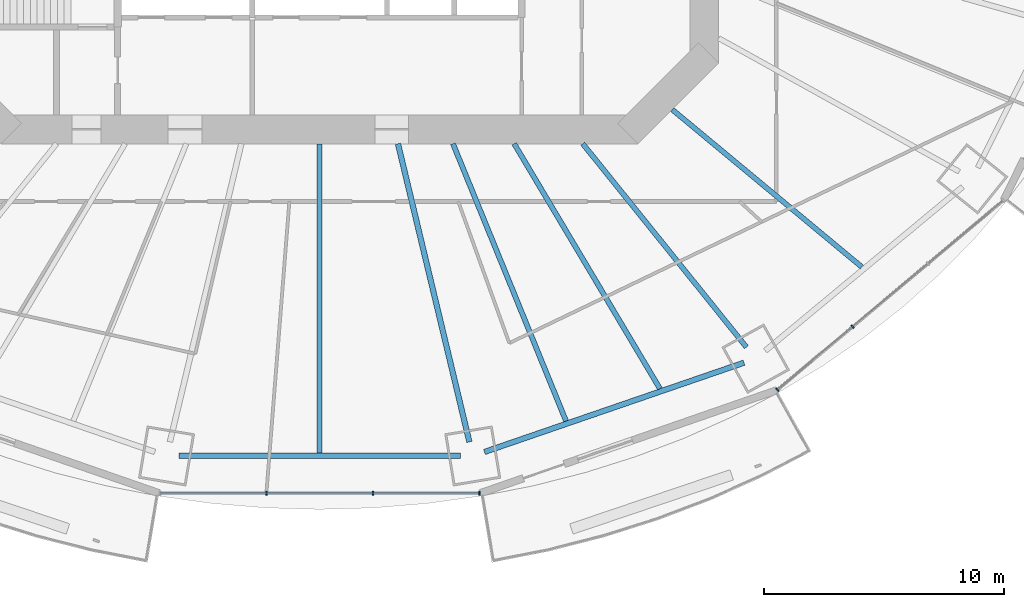
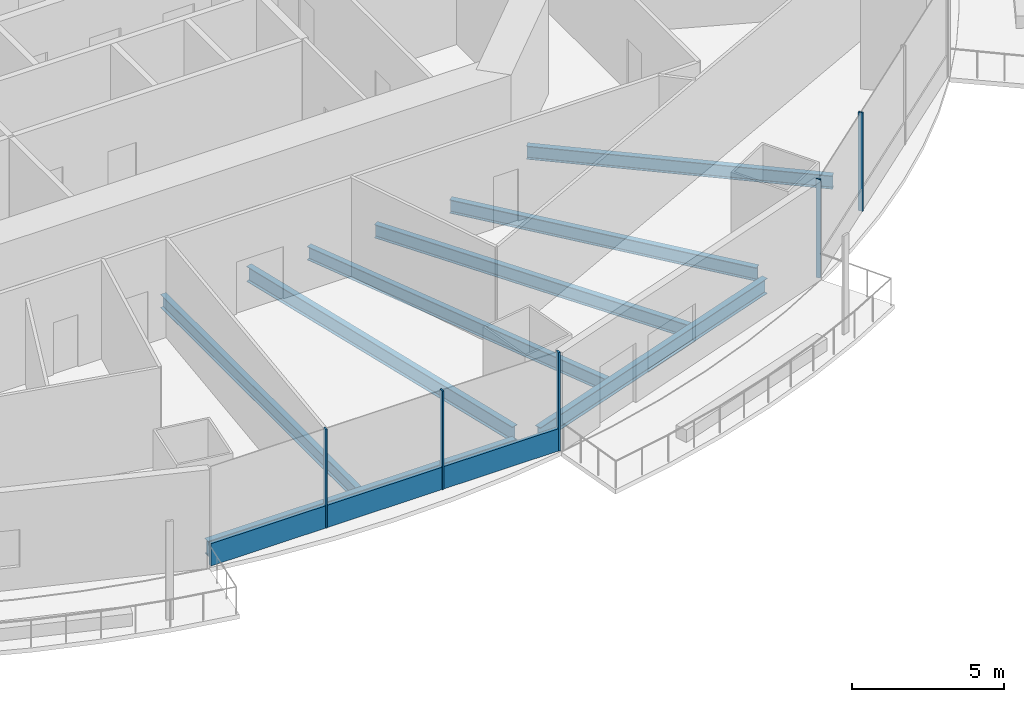
# One storey, part 4 of 22: 8 beams, 6 members, 2 elements without a shape of their own.
"""IFC4 building model written with IfcOpenShell, lengths in metres."""

from ifc_helpers import new_model, si_unit, direction, frame, origin, origin_2d, place, context, subcontext, project, spatial, rectangle, i_section, extrude, material, material_profile, profile_set, type_object, element, aggregate, save


model = new_model("IFC4")

# Units and contexts
model_context = context("Model", 3, precision=1e-05, world=origin(), true_north=direction((0.0, 1.0)))
body_context = subcontext(model_context, "Body", "Model", "MODEL_VIEW")
ifc_project = project(units=[si_unit("LENGTHUNIT", "METRE"), si_unit("AREAUNIT", "SQUARE_METRE"), si_unit("VOLUMEUNIT", "CUBIC_METRE"), si_unit("PLANEANGLEUNIT", "RADIAN"), si_unit("MASSUNIT", "GRAM", prefix="KILO")], contexts=[model_context])

# Site, building, storey
site_placement = place(None, origin())
site = spatial("IfcSite", under=ifc_project, at=site_placement, CompositionType="ELEMENT")
building_placement = place(site_placement, origin())
building = spatial("IfcBuilding", under=site, at=building_placement, Name="Marenthal Gate Tower", CompositionType="ELEMENT")
storey_placement = place(building_placement, frame((0.0, 0.0, 107.699951171875)))
storey = spatial("IfcBuildingStorey", under=building, at=storey_placement, Name="L22", CompositionType="ELEMENT", Elevation=107.699951171875)

# Curtain wall, members
ifc_material_1 = material(Name="Aluminium and glass", Category="aluminium")
curtain_wall_type = type_object("IfcCurtainWallType", Name="Curtain wall typical low", PredefinedType="NOTDEFINED", material=ifc_material_1)
curtain_wall_1_placement = place(storey_placement, origin())
curtain_wall_1 = element("IfcCurtainWall", 1, at=curtain_wall_1_placement, inside=storey, type_object=curtain_wall_type, Name="Curtain wall L22 bay 12", PredefinedType="NOTDEFINED")
ifc_material_2 = material(Name="Aluminium", Category="aluminium")
ifc_material_profile_1 = material_profile(ifc_material_2, rectangle(XDim=0.159912109375, YDim=0.06005859375, at=origin_2d()), Name="60x160 aluminium mullion")
ifc_profile_set_1 = profile_set([ifc_material_profile_1], Name="Aluminium")
member_type_1 = type_object("IfcMemberType", Name="Mullion 60x160 typical low", PredefinedType="MULLION", material=ifc_profile_set_1)
member_1_placement = place(storey_placement, frame((-2.2158203125, -28.13671875, 0.0), z_axis=(0.0, 0.0, 1.0), x_axis=(0.0, 1.0, 0.0)))
member_1 = element("IfcMember", 2, at=member_1_placement, type_object=member_type_1, Name="Mullion L22 bay 12.2", PredefinedType="MULLION", context=body_context, shape_type="SweptSolid", body=[
    extrude(rectangle(XDim=0.159912109375, YDim=0.06005859375, at=origin_2d()), origin(), (0.0, 0.0, 1.0), 3.969970703125),
])
member_2_placement = place(storey_placement, frame((2.2158203125, -28.13671875, 0.0), z_axis=(0.0, 0.0, 1.0), x_axis=(0.0, 1.0, 0.0)))
member_2 = element("IfcMember", 3, at=member_2_placement, type_object=member_type_1, Name="Mullion L22 bay 12.3", PredefinedType="MULLION", context=body_context, shape_type="SweptSolid", body=[
    extrude(rectangle(XDim=0.159912109375, YDim=0.06005859375, at=origin_2d()), origin(), (0.0, 0.0, 1.0), 3.969970703125),
])
member_3_placement = place(storey_placement, frame((6.647216796875, -28.13671875, 0.0), z_axis=(0.0, 0.0, 1.0), x_axis=(0.0, 1.0, 0.0)))
member_3 = element("IfcMember", 4, at=member_3_placement, type_object=member_type_1, Name="Mullion L22 bay 12.4", PredefinedType="MULLION", context=body_context, shape_type="SweptSolid", body=[
    extrude(rectangle(XDim=0.159912109375, YDim=0.06005859375, at=origin_2d()), origin(), (0.0, 0.0, 1.0), 3.969970703125),
])

curtain_wall_2_placement = place(storey_placement, origin())
curtain_wall_2 = element("IfcCurtainWall", 5, at=curtain_wall_2_placement, inside=storey, type_object=curtain_wall_type, Name="Curtain wall L22 bay 14", PredefinedType="NOTDEFINED")
member_4_placement = place(storey_placement, frame((19.037841796875, -23.833984375, 0.0), z_axis=(0.0, 0.0, 1.0), x_axis=(-0.642377082487, 0.766388728972, 0.0)))
member_4 = element("IfcMember", 6, at=member_4_placement, type_object=member_type_1, Name="Mullion L22 bay 14.1", PredefinedType="MULLION", context=body_context, shape_type="SweptSolid", body=[
    extrude(rectangle(XDim=0.159912109375, YDim=0.06005859375, at=origin_2d()), origin(), (0.0, 0.0, 1.0), 3.969970703125),
])
member_5_placement = place(storey_placement, frame((22.170166015625, -21.20849609375, 0.0), z_axis=(0.0, 0.0, 1.0), x_axis=(-0.642377082487, 0.766388728972, 0.0)))
member_5 = element("IfcMember", 7, at=member_5_placement, type_object=member_type_1, Name="Mullion L22 bay 14.2", PredefinedType="MULLION", context=body_context, shape_type="SweptSolid", body=[
    extrude(rectangle(XDim=0.159912109375, YDim=0.06005859375, at=origin_2d()), origin(), (0.0, 0.0, 1.0), 3.969970703125),
])
aggregate(curtain_wall_2, [member_4, member_5])

# Member
ifc_material_3 = material(Name="Aluminium", Category="aluminium")
ifc_material_profile_2 = material_profile(ifc_material_3, rectangle(XDim=0.1201171875, YDim=0.89990234375, at=origin_2d()), Name="120x900 aluminium transom")
ifc_profile_set_2 = profile_set([ifc_material_profile_2], Name="Aluminium")
member_type_2 = type_object("IfcMemberType", Name="Transom 120x900 typical low", PredefinedType="USERDEFINED", material=ifc_profile_set_2)
member_6_placement = place(storey_placement, frame((-6.6171875, -28.13671875, 0.449951171875), z_axis=(1.0, 0.0, 0.0), x_axis=(0.0, 1.0, 0.0)))
member_6 = element("IfcMember", 8, at=member_6_placement, type_object=member_type_2, Name="Transom L22 bay 12", ObjectType="TRANSOM", PredefinedType="USERDEFINED", context=body_context, shape_type="SweptSolid", body=[
    extrude(rectangle(XDim=0.1201171875, YDim=0.89990234375, at=origin_2d()), origin(), (0.0, 0.0, 1.0), 13.234375),
])

aggregate(curtain_wall_1, [member_1, member_2, member_3, member_6])

# Beams
ifc_material_4 = material(Name="Steel S355", Category="steel")
ifc_material_profile_3 = material_profile(ifc_material_4, i_section(OverallWidth=0.2099609375, OverallDepth=0.535888671875, WebThickness=0.010986328125, FlangeThickness=0.017333984375, FilletRadius=0.0126953125, at=origin_2d()), Name="W530X101")
ifc_profile_set_3 = profile_set([ifc_material_profile_3], Name="Steel S355")
beam_type_1 = type_object("IfcBeamType", Name="W530X101 beam", PredefinedType="BEAM", material=ifc_profile_set_3)
beam_1_placement = place(storey_placement, frame((22.551025390625, -18.7255859375, -0.447998046875), z_axis=(-0.769343150929, 0.638835750501, 0.0), x_axis=(-0.638835750501, -0.769343150929, 0.0)))
element("IfcBeam", 9, at=beam_1_placement, inside=storey, type_object=beam_type_1, Name="BM-L22-37", PredefinedType="BEAM", context=body_context, shape_type="SweptSolid", body=[
    extrude(i_section(OverallWidth=0.2099609375, OverallDepth=0.535888671875, WebThickness=0.010986328125, FlangeThickness=0.017333984375, FilletRadius=0.0126953125, at=origin_2d()), origin(), (0.0, 0.0, 1.0), 10.245849609375),
])
ifc_material_5 = material(Name="Steel S355", Category="steel")
ifc_material_profile_4 = material_profile(ifc_material_5, i_section(OverallWidth=0.2119140625, OverallDepth=0.5439453125, WebThickness=0.01318359375, FlangeThickness=0.021240234375, FilletRadius=0.0126953125, at=origin_2d()), Name="W530X123")
ifc_profile_set_4 = profile_set([ifc_material_profile_4], Name="Steel S355")
beam_type_2 = type_object("IfcBeamType", Name="W530X123 beam", PredefinedType="BEAM", material=ifc_profile_set_4)
beam_2_placement = place(storey_placement, frame((17.750732421875, -22.059326171875, -0.451904296875), z_axis=(-0.626924535124, 0.779079987716, 0.0), x_axis=(-0.779079987716, -0.626924535124, 0.0)))
element("IfcBeam", 10, at=beam_2_placement, inside=storey, type_object=beam_type_2, Name="BM-L22-14", PredefinedType="BEAM", context=body_context, shape_type="SweptSolid", body=[
    extrude(i_section(OverallWidth=0.2119140625, OverallDepth=0.5439453125, WebThickness=0.01318359375, FlangeThickness=0.021240234375, FilletRadius=0.0126953125, at=origin_2d()), origin(), (0.0, 0.0, 1.0), 10.85791015625),
])
beam_3_placement = place(storey_placement, frame((0.0, -26.47265625, -0.451904296875), z_axis=(0.0, 1.0, 0.0), x_axis=(-1.0, 0.0, 0.0)))
element("IfcBeam", 11, at=beam_3_placement, inside=storey, type_object=beam_type_2, Name="BM-L22-34", PredefinedType="BEAM", context=body_context, shape_type="SweptSolid", body=[
    extrude(i_section(OverallWidth=0.2119140625, OverallDepth=0.5439453125, WebThickness=0.01318359375, FlangeThickness=0.021240234375, FilletRadius=0.0126953125, at=origin_2d()), origin(), (0.0, 0.0, 1.0), 12.87255859375),
])
beam_4_placement = place(storey_placement, frame((10.248291015625, -25.131591796875, -0.451904296875), z_axis=(-0.377598266022, 0.925969518665, 0.0), x_axis=(-0.925969518665, -0.377598266022, 0.0)))
element("IfcBeam", 12, at=beam_4_placement, inside=storey, type_object=beam_type_2, Name="BM-L22-35", PredefinedType="BEAM", context=body_context, shape_type="SweptSolid", body=[
    extrude(i_section(OverallWidth=0.2119140625, OverallDepth=0.5439453125, WebThickness=0.01318359375, FlangeThickness=0.021240234375, FilletRadius=0.0126953125, at=origin_2d()), origin(), (0.0, 0.0, 1.0), 12.453369140625),
])
beam_5_placement = place(storey_placement, frame((14.154541015625, -23.7880859375, -0.451904296875), z_axis=(-0.511357862228, 0.859367870436, 0.0), x_axis=(-0.859367870436, -0.511357862228, 0.0)))
element("IfcBeam", 13, at=beam_5_placement, inside=storey, type_object=beam_type_2, Name="BM-L22-36", PredefinedType="BEAM", context=body_context, shape_type="SweptSolid", body=[
    extrude(i_section(OverallWidth=0.2119140625, OverallDepth=0.5439453125, WebThickness=0.01318359375, FlangeThickness=0.021240234375, FilletRadius=0.0126953125, at=origin_2d()), origin(), (0.0, 0.0, 1.0), 11.855224609375),
])
ifc_material_6 = material(Name="Steel S355", Category="steel")
ifc_material_profile_5 = material_profile(ifc_material_6, i_section(OverallWidth=0.22900390625, OverallDepth=0.612060546875, WebThickness=0.011962890625, FlangeThickness=0.01953125, FilletRadius=0.0126953125, at=origin_2d()), Name="W610X125")
ifc_profile_set_5 = profile_set([ifc_material_profile_5], Name="Steel S355")
beam_type_3 = type_object("IfcBeamType", Name="W610X125 beam", PredefinedType="BEAM", material=ifc_profile_set_5)
beam_6_placement = place(storey_placement, frame((6.228515625, -26.000732421875, -0.48583984375), z_axis=(-0.232968867139, 0.972484193673, 0.0), x_axis=(-0.972484193673, -0.232968867139, 0.0)))
element("IfcBeam", 14, at=beam_6_placement, inside=storey, type_object=beam_type_3, Name="BM-L22-13", PredefinedType="BEAM", context=body_context, shape_type="SweptSolid", body=[
    extrude(i_section(OverallWidth=0.22900390625, OverallDepth=0.612060546875, WebThickness=0.011962890625, FlangeThickness=0.01953125, FilletRadius=0.0126953125, at=origin_2d()), origin(), (0.0, 0.0, 1.0), 12.75146484375),
])
beam_7_placement = place(storey_placement, frame((-5.85546875, -26.587158203125, -0.48583984375), z_axis=(1.0, 0.0, 0.0), x_axis=(0.0, 1.0, 0.0)))
element("IfcBeam", 15, at=beam_7_placement, inside=storey, type_object=beam_type_3, Name="BM-L22-52", PredefinedType="BEAM", context=body_context, shape_type="SweptSolid", body=[
    extrude(i_section(OverallWidth=0.22900390625, OverallDepth=0.612060546875, WebThickness=0.011962890625, FlangeThickness=0.01953125, FilletRadius=0.0126953125, at=origin_2d()), origin(), (0.0, 0.0, 1.0), 11.7109375),
])
beam_8_placement = place(storey_placement, frame((6.855224609375, -26.419921875, -0.48583984375), z_axis=(0.945631108542, 0.325241151391, 0.0), x_axis=(-0.325241151391, 0.945631108542, 0.0)))
element("IfcBeam", 16, at=beam_8_placement, inside=storey, type_object=beam_type_3, Name="BM-L22-53", PredefinedType="BEAM", context=body_context, shape_type="SweptSolid", body=[
    extrude(i_section(OverallWidth=0.22900390625, OverallDepth=0.612060546875, WebThickness=0.011962890625, FlangeThickness=0.01953125, FilletRadius=0.0126953125, at=origin_2d()), origin(), (0.0, 0.0, 1.0), 11.4150390625),
])

save(model, "model.ifc")
